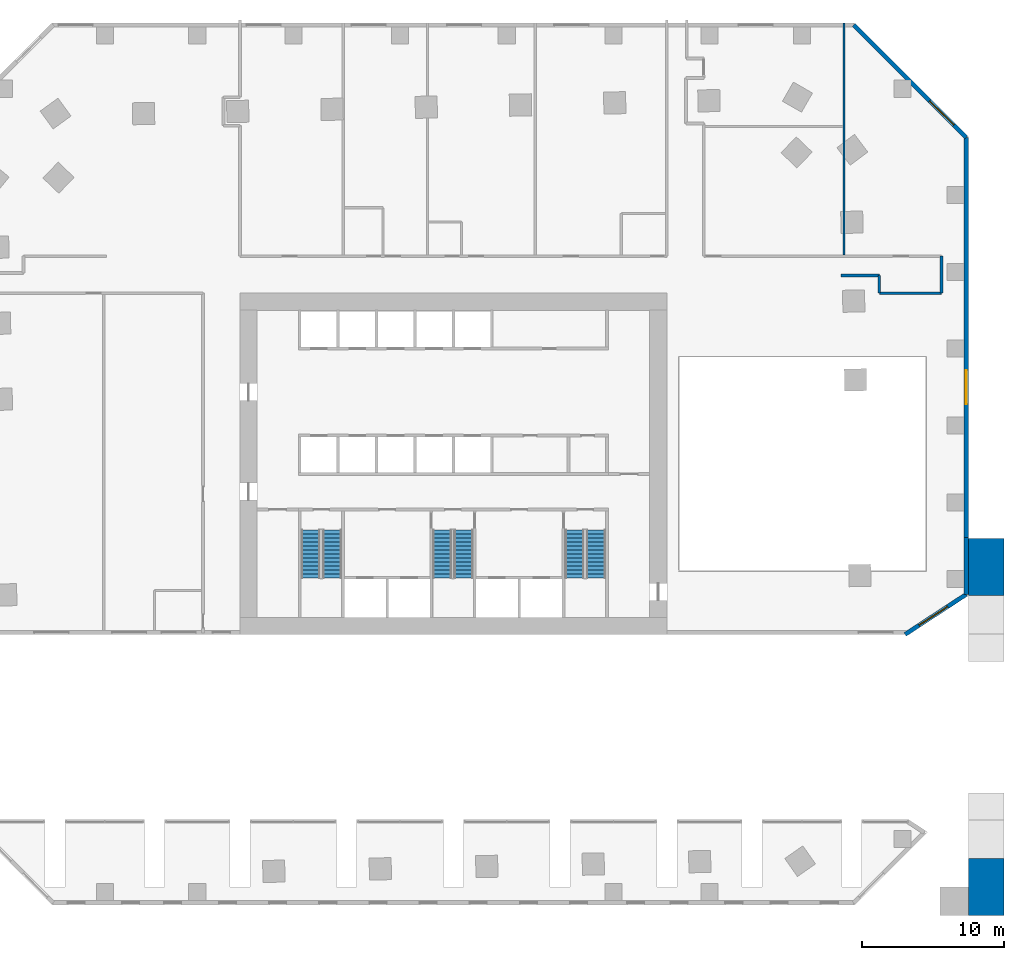
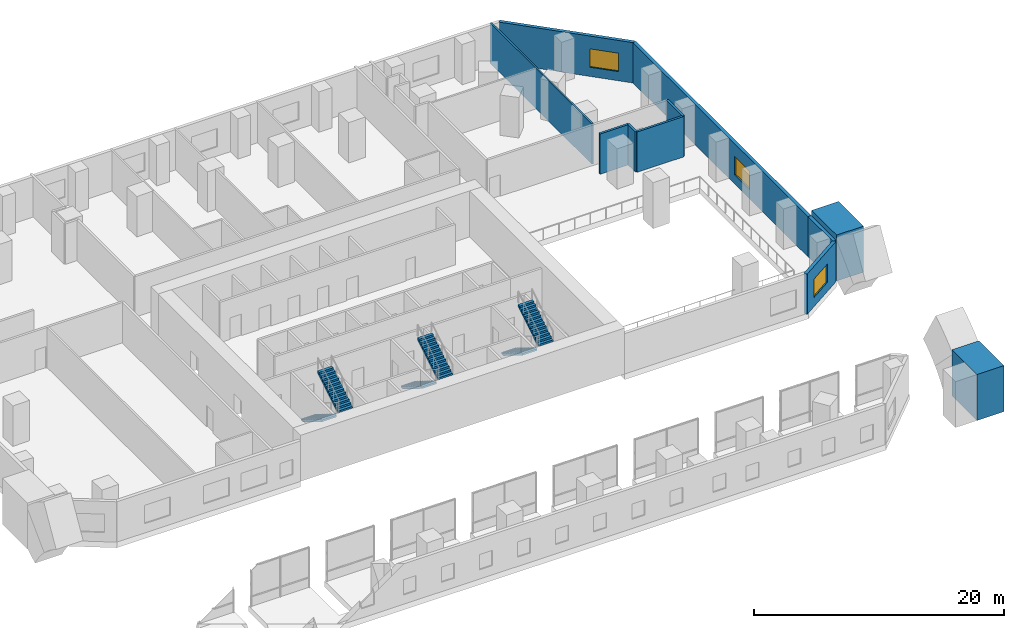
# One storey, part 10 of 12: 11 walls, 6 stair flights, 3 windows, 3 openings, 3 elements without a shape of their own.
"""IFC4 building model written with IfcOpenShell, lengths in metres."""

from ifc_helpers import new_model, si_unit, direction, frame, frame_2d, origin, place, context, subcontext, project, spatial, polyline, rectangle, outline, extrude, material, layer, layer_set, type_object, element, fill, aggregate, save


model = new_model("IFC4")

# Units and contexts
model_context = context("Model", 3, precision=1e-05, world=origin(), true_north=direction((0.0, 1.0)))
body_context = subcontext(model_context, "Body", "Model", "MODEL_VIEW")
ifc_project = project(units=[si_unit("LENGTHUNIT", "METRE"), si_unit("AREAUNIT", "SQUARE_METRE"), si_unit("VOLUMEUNIT", "CUBIC_METRE"), si_unit("PLANEANGLEUNIT", "RADIAN"), si_unit("MASSUNIT", "GRAM", prefix="KILO")], contexts=[model_context])

# Site, building, storey
site_placement = place(None, origin())
site = spatial("IfcSite", under=ifc_project, at=site_placement, CompositionType="ELEMENT")
building_placement = place(site_placement, origin())
building = spatial("IfcBuilding", under=site, at=building_placement, Name="Mangrove Gate Tower", CompositionType="ELEMENT")
storey_placement = place(building_placement, frame((0.0, 0.0, 16.0)))
storey = spatial("IfcBuildingStorey", under=building, at=storey_placement, Name="L03", CompositionType="ELEMENT", Elevation=16.0)

# Walls
ifc_material_1 = material(Name="Gypsum board on steel stud, EI 60", Category="steel")
ifc_layer_1 = layer(ifc_material_1, 0.199951171875)
ifc_layer_set_1 = layer_set([ifc_layer_1], Name="Corridor wall EI 60")
wall_type_1 = type_object("IfcWallType", Name="Corridor wall EI 60", PredefinedType="PARTITIONING", material=ifc_layer_set_1)
wall_1_placement = place(storey_placement, frame((29.929931640625, 12.0, 0.0), z_axis=(0.0, 0.0, 1.0), x_axis=(0.0, 1.0, 0.0)))
element("IfcWall", 1, at=wall_1_placement, inside=storey, type_object=wall_type_1, Name="WALL-L03-007", PredefinedType="PARTITIONING", context=body_context, shape_type="SweptSolid", body=[
    extrude(rectangle(XDim=1.243896484375, YDim=0.199951171875, at=frame_2d((0.6220703125, 0.0))), origin(), (0.0, 0.0, 1.0), 3.949951171875),
])
wall_2_placement = place(storey_placement, frame((29.93505859375, 12.0, 0.0), z_axis=(0.0, 0.0, 1.0), x_axis=(1.0, 0.0, 0.0)))
element("IfcWall", 2, at=wall_2_placement, inside=storey, type_object=wall_type_1, Name="WALL-L03-008", PredefinedType="PARTITIONING", context=body_context, shape_type="SweptSolid", body=[
    extrude(rectangle(XDim=4.364990234375, YDim=0.199951171875, at=frame_2d((2.1826171875, 0.0))), origin(), (0.0, 0.0, 1.0), 3.949951171875),
])
wall_3_placement = place(storey_placement, frame((34.300048828125, 12.0, 0.0), z_axis=(0.0, 0.0, 1.0), x_axis=(0.0, 1.0, 0.0)))
element("IfcWall", 3, at=wall_3_placement, inside=storey, type_object=wall_type_1, Name="WALL-L03-009", PredefinedType="PARTITIONING", context=body_context, shape_type="SweptSolid", body=[
    extrude(rectangle(XDim=2.60009765625, YDim=0.199951171875, at=frame_2d((1.300048828125, 0.0))), origin(), (0.0, 0.0, 1.0), 3.949951171875),
])
wall_4_placement = place(storey_placement, frame((27.24609375, 13.239990234375, 0.0), z_axis=(0.0, 0.0, 1.0), x_axis=(1.0, 0.0, 0.0)))
element("IfcWall", 4, at=wall_4_placement, inside=storey, type_object=wall_type_1, Name="WALL-L03-010", PredefinedType="PARTITIONING", context=body_context, shape_type="SweptSolid", body=[
    extrude(rectangle(XDim=2.68896484375, YDim=0.199951171875, at=frame_2d((1.344482421875, 0.0))), origin(), (0.0, 0.0, 1.0), 3.949951171875),
])

# Wall, opening, window
ifc_material_2 = material(Name="Limestone", Category="masonry")
ifc_layer_2 = layer(ifc_material_2, 0.0400390625, Name="Limestone cladding")
ifc_material_3 = material(Name="Ventilated air gap")
ifc_layer_3 = layer(ifc_material_3, 0.0400390625, Name="Ventilated cavity")
ifc_material_4 = material(Name="Mineral wool insulation")
ifc_layer_4 = layer(ifc_material_4, 0.06005859375, Name="Insulation")
ifc_material_5 = material(Name="Breather membrane")
ifc_layer_5 = layer(ifc_material_5, 0.001953125, Name="Breather membrane")
ifc_material_6 = material(Name="Concrete C20/25 blockwork", Category="masonry")
ifc_layer_6 = layer(ifc_material_6, 0.14990234375, Name="Blockwork backing wall")
ifc_material_7 = material(Name="Gypsum plaster")
ifc_layer_7 = layer(ifc_material_7, 0.008056640625, Name="Internal plaster")
ifc_layer_set_2 = layer_set([ifc_layer_2, ifc_layer_3, ifc_layer_4, ifc_layer_5, ifc_layer_6, ifc_layer_7], Name="External wall 300 limestone cladding")
wall_type_2 = type_object("IfcWallType", Name="External wall 300 limestone cladding", PredefinedType="SOLIDWALL", material=ifc_layer_set_2)
wall_5_placement = place(storey_placement, frame((31.7529296875, -11.98193359375, 0.0), z_axis=(0.0, 0.0, 1.0), x_axis=(0.836672208926, 0.547703948142, 0.0)))
wall_5 = element("IfcWall", 5, at=wall_5_placement, inside=storey, type_object=wall_type_2, Name="WALL-L03-S9s1", PredefinedType="SOLIDWALL", context=body_context, shape_type="SweptSolid", body=[
    extrude(rectangle(XDim=5.135986328125, YDim=0.300048828125, at=frame_2d((2.56787109375, 0.0))), origin(), (0.0, 0.0, 1.0), 3.949951171875),
])
opening_1_placement = place(wall_5_placement, frame((1.175048828125, 0.0, 0.89990234375)))
opening_1 = element("IfcOpeningElement", 6, at=opening_1_placement, cuts=wall_5, Name="Opening W3", PredefinedType="OPENING", context=body_context, shape_type="SweptSolid", body=[
    extrude(rectangle(XDim=2.39990234375, YDim=1.800048828125, at=frame_2d((1.199951171875, 0.89990234375))), frame((0.0, 0.159912109375, 0.0), z_axis=(0.0, -1.0, 0.0), x_axis=(1.0, 0.0, 0.0)), (0.0, 0.0, 1.0), 0.320068359375),
])
ifc_material_8 = material(Name="Aluminium frame with double-glazed low-e glass", Category="aluminium")
window_type = type_object("IfcWindowType", Name="Podium window 2400x1800", PartitioningType="DOUBLE_PANEL_VERTICAL", PredefinedType="WINDOW", material=ifc_material_8)
window_1_placement = place(opening_1_placement, origin())
window_1 = element("IfcWindow", 7, at=window_1_placement, inside=storey, type_object=window_type, Name="WIN-L03-S9-1", OverallHeight=1.800048828125, OverallWidth=2.39990234375, PartitioningType="DOUBLE_PANEL_VERTICAL", PredefinedType="WINDOW", context=body_context, shape_type="SweptSolid", body=[
    extrude(rectangle(XDim=2.39990234375, YDim=1.800048828125, at=frame_2d((1.199951171875, 0.89990234375))), frame((0.0, 0.030029296875, 0.0), z_axis=(0.0, -1.0, 0.0), x_axis=(1.0, 0.0, 0.0)), (0.0, 0.0, 1.0), 0.06005859375),
])
fill(opening_1, window_1)

# Wall
wall_6_placement = place(storey_placement, frame((36.050048828125, -9.1689453125, 0.0), z_axis=(0.0, 0.0, 1.0), x_axis=(0.0, 1.0, 0.0)))
element("IfcWall", 8, at=wall_6_placement, inside=storey, type_object=wall_type_2, Name="WALL-L03-E3100", PredefinedType="SOLIDWALL", context=body_context, shape_type="SweptSolid", body=[
    extrude(rectangle(XDim=3.98193359375, YDim=0.300048828125, at=frame_2d((1.990966796875, 0.0))), origin(), (0.0, 0.0, 1.0), 3.949951171875),
])

# Wall, opening, window
wall_7_placement = place(storey_placement, frame((36.050048828125, -5.18701171875, 0.0), z_axis=(0.0, 0.0, 1.0), x_axis=(0.0, 1.0, 0.0)))
wall_7 = element("IfcWall", 9, at=wall_7_placement, inside=storey, type_object=wall_type_2, Name="WALL-L03-E10", PredefinedType="SOLIDWALL", context=body_context, shape_type="SweptSolid", body=[
    extrude(rectangle(XDim=28.125, YDim=0.300048828125, at=frame_2d((14.0625, 0.0))), origin(), (0.0, 0.0, 1.0), 3.949951171875),
])
opening_2_placement = place(wall_7_placement, frame((9.386962890625, 0.0, 0.89990234375)))
opening_2 = element("IfcOpeningElement", 10, at=opening_2_placement, cuts=wall_7, Name="Opening W3", PredefinedType="OPENING", context=body_context, shape_type="SweptSolid", body=[
    extrude(rectangle(XDim=2.39990234375, YDim=1.800048828125, at=frame_2d((1.199951171875, 0.89990234375))), frame((0.0, 0.159912109375, 0.0), z_axis=(0.0, -1.0, 0.0), x_axis=(1.0, 0.0, 0.0)), (0.0, 0.0, 1.0), 0.320068359375),
])
window_2_placement = place(opening_2_placement, origin())
window_2 = element("IfcWindow", 11, at=window_2_placement, inside=storey, type_object=window_type, Name="WIN-L03-E10-1", OverallHeight=1.800048828125, OverallWidth=2.39990234375, PartitioningType="DOUBLE_PANEL_VERTICAL", PredefinedType="WINDOW", context=body_context, shape_type="SweptSolid", body=[
    extrude(rectangle(XDim=2.39990234375, YDim=1.800048828125, at=frame_2d((1.199951171875, 0.89990234375))), frame((0.0, 0.030029296875, 0.0), z_axis=(0.0, -1.0, 0.0), x_axis=(1.0, 0.0, 0.0)), (0.0, 0.0, 1.0), 0.06005859375),
])
fill(opening_2, window_2)

wall_8_placement = place(storey_placement, frame((36.050048828125, 22.93798828125, 0.0), z_axis=(0.0, 0.0, 1.0), x_axis=(-0.707106781187, 0.707106781187, 0.0)))
wall_8 = element("IfcWall", 12, at=wall_8_placement, inside=storey, type_object=wall_type_2, Name="WALL-L03-N11", PredefinedType="SOLIDWALL", context=body_context, shape_type="SweptSolid", body=[
    extrude(rectangle(XDim=11.189453125, YDim=0.300048828125, at=frame_2d((5.5947265625, 0.0))), origin(), (0.0, 0.0, 1.0), 3.949951171875),
])
opening_3_placement = place(wall_8_placement, frame((1.241943359375, 0.0, 0.89990234375)))
opening_3 = element("IfcOpeningElement", 13, at=opening_3_placement, cuts=wall_8, Name="Opening W3", PredefinedType="OPENING", context=body_context, shape_type="SweptSolid", body=[
    extrude(rectangle(XDim=2.39990234375, YDim=1.800048828125, at=frame_2d((1.199951171875, 0.89990234375))), frame((0.0, 0.159912109375, 0.0), z_axis=(0.0, -1.0, 0.0), x_axis=(1.0, 0.0, 0.0)), (0.0, 0.0, 1.0), 0.320068359375),
])
window_3_placement = place(opening_3_placement, origin())
window_3 = element("IfcWindow", 14, at=window_3_placement, inside=storey, type_object=window_type, Name="WIN-L03-N11-1", OverallHeight=1.800048828125, OverallWidth=2.39990234375, PartitioningType="DOUBLE_PANEL_VERTICAL", PredefinedType="WINDOW", context=body_context, shape_type="SweptSolid", body=[
    extrude(rectangle(XDim=2.39990234375, YDim=1.800048828125, at=frame_2d((1.199951171875, 0.89990234375))), frame((0.0, 0.030029296875, 0.0), z_axis=(0.0, -1.0, 0.0), x_axis=(1.0, 0.0, 0.0)), (0.0, 0.0, 1.0), 0.06005859375),
])
fill(opening_3, window_3)

# Walls
ifc_material_9 = material(Name="Gypsum board on steel stud, EI 60", Category="steel")
ifc_layer_8 = layer(ifc_material_9, 0.14990234375)
ifc_layer_set_3 = layer_set([ifc_layer_8], Name="Party wall 150 EI 60")
wall_type_3 = type_object("IfcWallType", Name="Party wall 150 EI 60", PredefinedType="PARTITIONING", material=ifc_layer_set_3)
wall_9_placement = place(storey_placement, frame((27.449951171875, 14.699951171875, 0.0), z_axis=(0.0, 0.0, 1.0), x_axis=(0.0, 1.0, 0.0)))
element("IfcWall", 15, at=wall_9_placement, inside=storey, type_object=wall_type_3, Name="WALL-L03-025", PredefinedType="PARTITIONING", context=body_context, shape_type="SweptSolid", body=[
    extrude(rectangle(XDim=16.300048828125, YDim=0.14990234375, at=frame_2d((8.14990234375, 0.0))), origin(), (0.0, 0.0, 1.0), 3.949951171875),
])
ifc_layer_9 = layer(ifc_material_2, 0.06005859375, Name="Limestone cladding")
ifc_material_10 = material(Name="Concrete C40/50", Category="concrete")
ifc_layer_10 = layer(ifc_material_10, 2.340087890625, Name="Gate core wall")
ifc_layer_11 = layer(ifc_material_2, 0.10009765625, Name="Limestone reveal lining")
ifc_layer_set_4 = layer_set([ifc_layer_9, ifc_layer_10, ifc_layer_11], Name="Stone gate wall 2500")
wall_type_4 = type_object("IfcWallType", Name="Stone gate wall 2500", PredefinedType="STANDARD", material=ifc_layer_set_4)
for number, where, z_axis, x_axis, name in (
    (16, (37.449951171875, -31.75, 0.0), (0.0, 0.0, 1.0), (0.0, 1.0, 0.0), "ARCH PIER E 1"),
    (17, (37.449951171875, -9.25, 0.0), (0.0, 0.0, 1.0), (0.0, 1.0, 0.0), "ARCH PIER E 2"),
):
    element("IfcWall", number, at=place(storey_placement, frame(where, z_axis=z_axis, x_axis=x_axis)), inside=storey, type_object=wall_type_4, Name=name, PredefinedType="STANDARD", context=body_context, shape_type="SweptSolid", body=[
        extrude(rectangle(XDim=4.0, YDim=2.5, at=frame_2d((2.0, 0.0))), origin(), (0.0, 0.0, 1.0), 4.5),
    ])

# Stair, stair flights
ifc_material_11 = material(Name="Concrete C40/50", Category="concrete")
stair_type = type_object("IfcStairType", Name="Core stair 1350", PredefinedType="HALF_TURN_STAIR", material=ifc_material_11)
stair_1_placement = place(storey_placement, origin())
stair_1 = element("IfcStair", 18, at=stair_1_placement, inside=storey, type_object=stair_type, Name="L03 Stair 1", PredefinedType="HALF_TURN_STAIR")
ifc_material_12 = material(Name="Concrete C40/50", Category="concrete")
stair_flight_type = type_object("IfcStairFlightType", Name="Core stair flight 1350", PredefinedType="STRAIGHT", material=ifc_material_12)
stair_flight_1_placement = place(storey_placement, frame((-10.02490234375, -4.64990234375, 0.0), z_axis=(0.0, 0.0, 1.0), x_axis=(0.0, -1.0, 0.0)))
stair_flight_1 = element("IfcStairFlight", 19, at=stair_flight_1_placement, type_object=stair_flight_type, Name="ST1 flight 1", NumberOfRisers=13, NumberOfTreads=12, PredefinedType="STRAIGHT", RiserHeight=0.173076923, TreadLength=0.28, context=body_context, shape_type="SweptSolid", body=[
    extrude(outline(polyline([(0.0, 0.0), (0.0, 0.173095703125), (0.280029296875, 0.173095703125), (0.280029296875, 0.34619140625), (0.56005859375, 0.34619140625), (0.56005859375, 0.519287109375), (0.840087890625, 0.519287109375), (0.840087890625, 0.6923828125), (1.1201171875, 0.6923828125), (1.1201171875, 0.865478515625), (1.39990234375, 0.865478515625), (1.39990234375, 1.03857421875), (1.679931640625, 1.03857421875), (1.679931640625, 1.21142578125), (1.9599609375, 1.21142578125), (1.9599609375, 1.384521484375), (2.239990234375, 1.384521484375), (2.239990234375, 1.5576171875), (2.52001953125, 1.5576171875), (2.52001953125, 1.730712890625), (2.800048828125, 1.730712890625), (2.800048828125, 1.90380859375), (3.080078125, 1.90380859375), (3.080078125, 2.076904296875), (3.360107421875, 2.076904296875), (3.360107421875, 2.25), (3.360107421875, 1.900634765625), (0.28515625, 0.0), (0.0, 0.0)])), frame((0.0, 0.675048828125, 0.0), z_axis=(0.0, -1.0, 0.0), x_axis=(1.0, 0.0, 0.0)), (0.0, 0.0, 1.0), 1.35009765625),
])
stair_flight_2_placement = place(storey_placement, frame((-8.52490234375, -8.010009765625, 2.25), z_axis=(0.0, 0.0, 1.0), x_axis=(0.0, 1.0, 0.0)))
stair_flight_2 = element("IfcStairFlight", 20, at=stair_flight_2_placement, type_object=stair_flight_type, Name="ST1 flight 2", NumberOfRisers=13, NumberOfTreads=12, PredefinedType="STRAIGHT", RiserHeight=0.173076923, TreadLength=0.28, context=body_context, shape_type="SweptSolid", body=[
    extrude(outline(polyline([(0.0, 0.0), (0.0, 0.173095703125), (0.280029296875, 0.173095703125), (0.280029296875, 0.34619140625), (0.56005859375, 0.34619140625), (0.56005859375, 0.519287109375), (0.840087890625, 0.519287109375), (0.840087890625, 0.6923828125), (1.1201171875, 0.6923828125), (1.1201171875, 0.865478515625), (1.39990234375, 0.865478515625), (1.39990234375, 1.03857421875), (1.679931640625, 1.03857421875), (1.679931640625, 1.21142578125), (1.9599609375, 1.21142578125), (1.9599609375, 1.384521484375), (2.239990234375, 1.384521484375), (2.239990234375, 1.5576171875), (2.52001953125, 1.5576171875), (2.52001953125, 1.730712890625), (2.800048828125, 1.730712890625), (2.800048828125, 1.90380859375), (3.080078125, 1.90380859375), (3.080078125, 2.076904296875), (3.360107421875, 2.076904296875), (3.360107421875, 2.25), (3.360107421875, 1.900634765625), (0.28515625, 0.0), (0.0, 0.0)])), frame((0.0, 0.675048828125, 0.0), z_axis=(0.0, -1.0, 0.0), x_axis=(1.0, 0.0, 0.0)), (0.0, 0.0, 1.0), 1.35009765625),
])
aggregate(stair_1, [stair_flight_1, stair_flight_2])

stair_2_placement = place(storey_placement, origin())
stair_2 = element("IfcStair", 21, at=stair_2_placement, inside=storey, type_object=stair_type, Name="L03 Stair 2", PredefinedType="HALF_TURN_STAIR")
stair_flight_3_placement = place(storey_placement, frame((-0.77490234375, -4.64990234375, 0.0), z_axis=(0.0, 0.0, 1.0), x_axis=(0.0, -1.0, 0.0)))
stair_flight_3 = element("IfcStairFlight", 22, at=stair_flight_3_placement, type_object=stair_flight_type, Name="ST2 flight 1", NumberOfRisers=13, NumberOfTreads=12, PredefinedType="STRAIGHT", RiserHeight=0.173076923, TreadLength=0.28, context=body_context, shape_type="SweptSolid", body=[
    extrude(outline(polyline([(0.0, 0.0), (0.0, 0.173095703125), (0.280029296875, 0.173095703125), (0.280029296875, 0.34619140625), (0.56005859375, 0.34619140625), (0.56005859375, 0.519287109375), (0.840087890625, 0.519287109375), (0.840087890625, 0.6923828125), (1.1201171875, 0.6923828125), (1.1201171875, 0.865478515625), (1.39990234375, 0.865478515625), (1.39990234375, 1.03857421875), (1.679931640625, 1.03857421875), (1.679931640625, 1.21142578125), (1.9599609375, 1.21142578125), (1.9599609375, 1.384521484375), (2.239990234375, 1.384521484375), (2.239990234375, 1.5576171875), (2.52001953125, 1.5576171875), (2.52001953125, 1.730712890625), (2.800048828125, 1.730712890625), (2.800048828125, 1.90380859375), (3.080078125, 1.90380859375), (3.080078125, 2.076904296875), (3.360107421875, 2.076904296875), (3.360107421875, 2.25), (3.360107421875, 1.900634765625), (0.28515625, 0.0), (0.0, 0.0)])), frame((0.0, 0.675048828125, 0.0), z_axis=(0.0, -1.0, 0.0), x_axis=(1.0, 0.0, 0.0)), (0.0, 0.0, 1.0), 1.35009765625),
])
stair_flight_4_placement = place(storey_placement, frame((0.72509765625, -8.010009765625, 2.25), z_axis=(0.0, 0.0, 1.0), x_axis=(0.0, 1.0, 0.0)))
stair_flight_4 = element("IfcStairFlight", 23, at=stair_flight_4_placement, type_object=stair_flight_type, Name="ST2 flight 2", NumberOfRisers=13, NumberOfTreads=12, PredefinedType="STRAIGHT", RiserHeight=0.173076923, TreadLength=0.28, context=body_context, shape_type="SweptSolid", body=[
    extrude(outline(polyline([(0.0, 0.0), (0.0, 0.173095703125), (0.280029296875, 0.173095703125), (0.280029296875, 0.34619140625), (0.56005859375, 0.34619140625), (0.56005859375, 0.519287109375), (0.840087890625, 0.519287109375), (0.840087890625, 0.6923828125), (1.1201171875, 0.6923828125), (1.1201171875, 0.865478515625), (1.39990234375, 0.865478515625), (1.39990234375, 1.03857421875), (1.679931640625, 1.03857421875), (1.679931640625, 1.21142578125), (1.9599609375, 1.21142578125), (1.9599609375, 1.384521484375), (2.239990234375, 1.384521484375), (2.239990234375, 1.5576171875), (2.52001953125, 1.5576171875), (2.52001953125, 1.730712890625), (2.800048828125, 1.730712890625), (2.800048828125, 1.90380859375), (3.080078125, 1.90380859375), (3.080078125, 2.076904296875), (3.360107421875, 2.076904296875), (3.360107421875, 2.25), (3.360107421875, 1.900634765625), (0.28515625, 0.0), (0.0, 0.0)])), frame((0.0, 0.675048828125, 0.0), z_axis=(0.0, -1.0, 0.0), x_axis=(1.0, 0.0, 0.0)), (0.0, 0.0, 1.0), 1.35009765625),
])
aggregate(stair_2, [stair_flight_3, stair_flight_4])

stair_3_placement = place(storey_placement, origin())
stair_3 = element("IfcStair", 24, at=stair_3_placement, inside=storey, type_object=stair_type, Name="L03 Stair 3", PredefinedType="HALF_TURN_STAIR")
stair_flight_5_placement = place(storey_placement, frame((8.52490234375, -4.64990234375, 0.0), z_axis=(0.0, 0.0, 1.0), x_axis=(0.0, -1.0, 0.0)))
stair_flight_5 = element("IfcStairFlight", 25, at=stair_flight_5_placement, type_object=stair_flight_type, Name="ST3 flight 1", NumberOfRisers=13, NumberOfTreads=12, PredefinedType="STRAIGHT", RiserHeight=0.173076923, TreadLength=0.28, context=body_context, shape_type="SweptSolid", body=[
    extrude(outline(polyline([(0.0, 0.0), (0.0, 0.173095703125), (0.280029296875, 0.173095703125), (0.280029296875, 0.34619140625), (0.56005859375, 0.34619140625), (0.56005859375, 0.519287109375), (0.840087890625, 0.519287109375), (0.840087890625, 0.6923828125), (1.1201171875, 0.6923828125), (1.1201171875, 0.865478515625), (1.39990234375, 0.865478515625), (1.39990234375, 1.03857421875), (1.679931640625, 1.03857421875), (1.679931640625, 1.21142578125), (1.9599609375, 1.21142578125), (1.9599609375, 1.384521484375), (2.239990234375, 1.384521484375), (2.239990234375, 1.5576171875), (2.52001953125, 1.5576171875), (2.52001953125, 1.730712890625), (2.800048828125, 1.730712890625), (2.800048828125, 1.90380859375), (3.080078125, 1.90380859375), (3.080078125, 2.076904296875), (3.360107421875, 2.076904296875), (3.360107421875, 2.25), (3.360107421875, 1.900634765625), (0.28515625, 0.0), (0.0, 0.0)])), frame((0.0, 0.675048828125, 0.0), z_axis=(0.0, -1.0, 0.0), x_axis=(1.0, 0.0, 0.0)), (0.0, 0.0, 1.0), 1.35009765625),
])
stair_flight_6_placement = place(storey_placement, frame((10.02490234375, -8.010009765625, 2.25), z_axis=(0.0, 0.0, 1.0), x_axis=(0.0, 1.0, 0.0)))
stair_flight_6 = element("IfcStairFlight", 26, at=stair_flight_6_placement, type_object=stair_flight_type, Name="ST3 flight 2", NumberOfRisers=13, NumberOfTreads=12, PredefinedType="STRAIGHT", RiserHeight=0.173076923, TreadLength=0.28, context=body_context, shape_type="SweptSolid", body=[
    extrude(outline(polyline([(0.0, 0.0), (0.0, 0.173095703125), (0.280029296875, 0.173095703125), (0.280029296875, 0.34619140625), (0.56005859375, 0.34619140625), (0.56005859375, 0.519287109375), (0.840087890625, 0.519287109375), (0.840087890625, 0.6923828125), (1.1201171875, 0.6923828125), (1.1201171875, 0.865478515625), (1.39990234375, 0.865478515625), (1.39990234375, 1.03857421875), (1.679931640625, 1.03857421875), (1.679931640625, 1.21142578125), (1.9599609375, 1.21142578125), (1.9599609375, 1.384521484375), (2.239990234375, 1.384521484375), (2.239990234375, 1.5576171875), (2.52001953125, 1.5576171875), (2.52001953125, 1.730712890625), (2.800048828125, 1.730712890625), (2.800048828125, 1.90380859375), (3.080078125, 1.90380859375), (3.080078125, 2.076904296875), (3.360107421875, 2.076904296875), (3.360107421875, 2.25), (3.360107421875, 1.900634765625), (0.28515625, 0.0), (0.0, 0.0)])), frame((0.0, 0.675048828125, 0.0), z_axis=(0.0, -1.0, 0.0), x_axis=(1.0, 0.0, 0.0)), (0.0, 0.0, 1.0), 1.35009765625),
])
aggregate(stair_3, [stair_flight_5, stair_flight_6])

save(model, "model.ifc")
